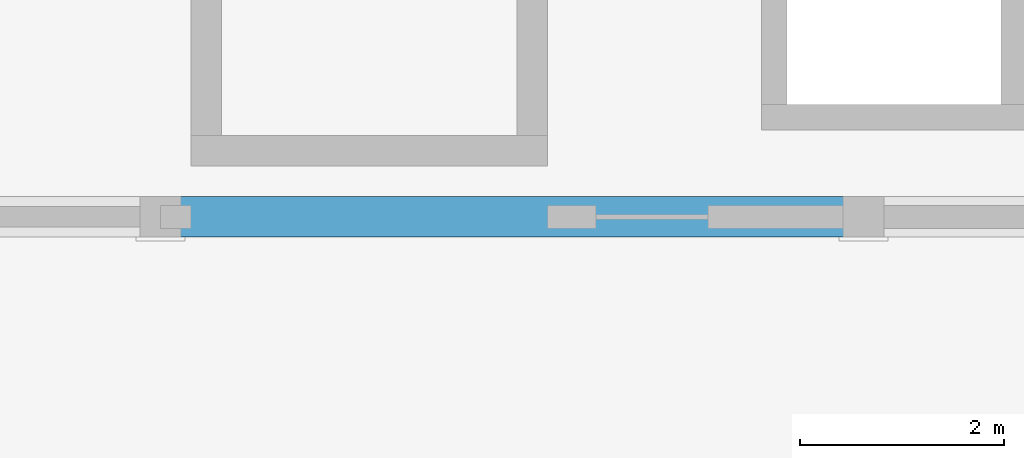
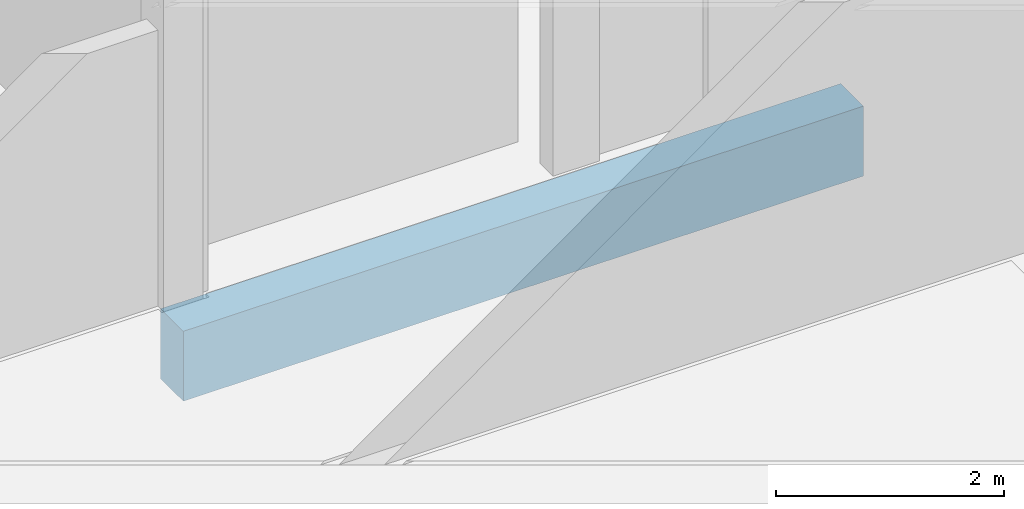
# One storey, part 69 of 189: 1 beam.
"""IFC4 building model written with IfcOpenShell, lengths in metres."""

from ifc_helpers import new_model, si_unit, direction, frame, origin, origin_2d, place, context, subcontext, project, spatial, rectangle, extrude, material, material_profile, profile_set, type_object, element, save


model = new_model("IFC4")

# Units and contexts
model_context = context("Model", 3, precision=1e-05, world=origin(), true_north=direction((0.0, 1.0)))
body_context = subcontext(model_context, "Body", "Model", "MODEL_VIEW")
ifc_project = project(units=[si_unit("LENGTHUNIT", "METRE"), si_unit("AREAUNIT", "SQUARE_METRE"), si_unit("VOLUMEUNIT", "CUBIC_METRE"), si_unit("PLANEANGLEUNIT", "RADIAN"), si_unit("MASSUNIT", "GRAM", prefix="KILO")], contexts=[model_context])

# Site, building, storey
site_placement = place(None, origin())
site = spatial("IfcSite", under=ifc_project, at=site_placement, CompositionType="ELEMENT")
building_placement = place(site_placement, origin())
building = spatial("IfcBuilding", under=site, at=building_placement, Name="Zavelmont Quarter", CompositionType="ELEMENT")
storey_placement = place(building_placement, frame((0.0, 0.0, 4.39990234375)))
storey = spatial("IfcBuildingStorey", under=building, at=storey_placement, Name="L01", CompositionType="ELEMENT", Elevation=4.39990234375)

# Beam
ifc_material = material(Name="Concrete C40/50", Category="concrete")
ifc_material_profile = material_profile(ifc_material, rectangle(XDim=0.39990234375, YDim=0.75, at=origin_2d()), Name="RC400X750")
ifc_profile_set = profile_set([ifc_material_profile], Name="Concrete C40/50")
beam_type = type_object("IfcBeamType", Name="BM05", PredefinedType="BEAM", material=ifc_profile_set)
beam_placement = place(storey_placement, frame((6.89990234375, 78.0, -0.65478515625), z_axis=(1.0, 0.0, 0.0), x_axis=(0.0, 1.0, 0.0)))
element("IfcBeam", 1, at=beam_placement, inside=storey, type_object=beam_type, Name="L01 beam BM05 2/M to 3/M", PredefinedType="BEAM", context=body_context, shape_type="SweptSolid", body=[
    extrude(rectangle(XDim=0.39990234375, YDim=0.75, at=origin_2d()), origin(), (0.0, 0.0, 1.0), 6.900146484375),
])

save(model, "model.ifc")
